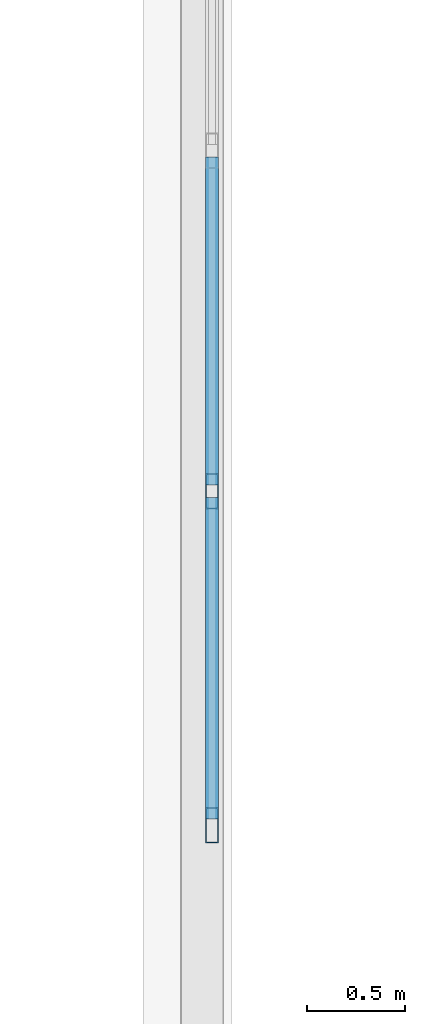
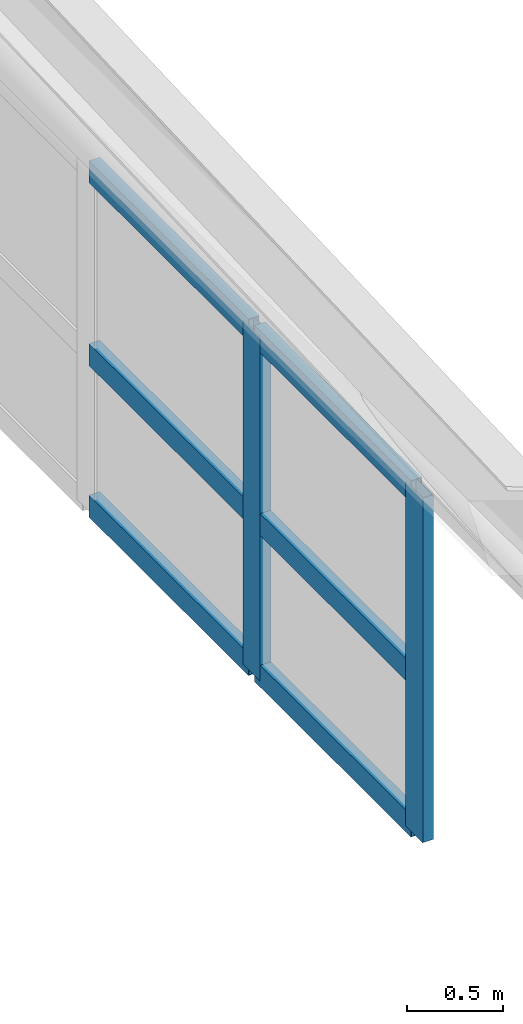
# One storey, part 11 of 128: 8 members, 1 element without a shape of its own.
"""IFC4 building model written with IfcOpenShell, lengths in metres."""

import ifcopenshell
import ifcopenshell.guid

model = None  # the IFC model being written
_history = None  # IfcOwnerHistory: only IFC2X3 demands one
_inside = {}  # id of a spatial element -> (the spatial element, [elements in it])
_under = {}  # id of a project, library or spatial element -> (it, [spatial elements below it])
_declared = {}  # id of a project -> (the project, [libraries it declares])
_typed = {}  # id of a type object -> (the type object, [elements of that type])
_made_of = {}  # id of a material, layer set ... -> (it, [elements and type objects made of it])


def new_model(schema):
    """Start an empty IFC model of exactly this schema.

    Asked for "IFC4X3", IfcOpenShell would pick the latest addendum, in which some entities
    have other attributes; the version numbers below select the first issue.
    IFC2X3 requires an IfcOwnerHistory on every rooted entity: one is made here for all.
    """
    global model, _history
    if schema == "IFC4X3":
        model = ifcopenshell.file(schema_version=(4, 3, 0, 0))
    else:
        model = ifcopenshell.file(schema=schema)
    _inside.clear()
    _under.clear()
    _declared.clear()
    _typed.clear()
    _made_of.clear()
    _history = None
    if model.schema == "IFC2X3":
        org = make("IfcOrganization", Name="unknown")
        user = make(
            "IfcPersonAndOrganization",
            ThePerson=make("IfcPerson", FamilyName="unknown"),
            TheOrganization=org,
        )
        app = make(
            "IfcApplication",
            ApplicationDeveloper=org,
            Version="unknown",
            ApplicationFullName="unknown",
            ApplicationIdentifier="unknown",
        )
        _history = make(
            "IfcOwnerHistory",
            OwningUser=user,
            OwningApplication=app,
            ChangeAction="ADDED",
            CreationDate=0,
        )
    return model


def make(cls, **values):
    """One entity of the class cls with the attributes given. An attribute that is None is left unset."""
    return model.create_entity(
        cls, **{name: value for name, value in values.items() if value is not None}
    )


def rooted(cls, **values):
    """An entity with a GlobalId (a new one), such as an element, a storey or a relation."""
    return make(cls, GlobalId=ifcopenshell.guid.new(), OwnerHistory=_history, **values)


def si_unit(unit_type, name, prefix=None):
    """IfcSIUnit, for example si_unit("LENGTHUNIT", "METRE", prefix="MILLI")."""
    return make("IfcSIUnit", UnitType=unit_type, Prefix=prefix, Name=name)


def assignment(units):
    """IfcUnitAssignment: the units of a project."""
    return None if units is None else make("IfcUnitAssignment", Units=units)


def point(xyz):
    """IfcCartesianPoint."""
    return None if xyz is None else make("IfcCartesianPoint", Coordinates=xyz)


def direction(xyz):
    """IfcDirection."""
    return None if xyz is None else make("IfcDirection", DirectionRatios=xyz)


def frame(location, z_axis=None, x_axis=None):
    """IfcAxis2Placement3D, a coordinate frame: its origin and axes. An axis left out is left unset."""
    return make(
        "IfcAxis2Placement3D",
        Location=point(location),
        Axis=direction(z_axis),
        RefDirection=direction(x_axis),
    )


def frame_2d(location, x_axis=None):
    """IfcAxis2Placement2D, a coordinate frame in the plane: its origin and x axis."""
    return make(
        "IfcAxis2Placement2D", Location=point(location), RefDirection=direction(x_axis)
    )


def origin():
    """The frame at (0, 0, 0) with its axes left unset."""
    return frame((0.0, 0.0, 0.0))


def origin_2d():
    """The frame at (0, 0) in the plane with its x axis left unset."""
    return frame_2d((0.0, 0.0))


def place(relative_to, where):
    """IfcLocalPlacement: puts the frame where relative to a parent placement (None: the world)."""
    return make(
        "IfcLocalPlacement", PlacementRelTo=relative_to, RelativePlacement=where
    )


def context(
    kind, dimensions, precision=None, world=None, true_north=None, identifier=None
):
    """IfcGeometricRepresentationContext, for example the 3D "Model" context."""
    return make(
        "IfcGeometricRepresentationContext",
        ContextIdentifier=identifier,
        ContextType=kind,
        CoordinateSpaceDimension=dimensions,
        Precision=precision,
        WorldCoordinateSystem=world,
        TrueNorth=true_north,
    )


def subcontext(parent, identifier, kind, view, scale=None):
    """IfcGeometricRepresentationSubContext, for example "Body" below "Model"."""
    return make(
        "IfcGeometricRepresentationSubContext",
        ContextIdentifier=identifier,
        ContextType=kind,
        ParentContext=parent,
        TargetScale=scale,
        TargetView=view,
    )


def project(units=None, contexts=None):
    """IfcProject with its units and contexts."""
    return rooted(
        "IfcProject",
        Name="project",
        RepresentationContexts=contexts,
        UnitsInContext=assignment(units),
    )


def spatial(cls, under=None, at=None, **own):
    """A site, building, storey or space (cls), placed at a placement, below another one or the project."""
    s = rooted(cls, ObjectPlacement=at, **own)
    if under is not None:
        _under.setdefault(under.id(), (under, []))[1].append(s)
    return s


def profile(cls, at=None, kind="AREA", **sizes):
    """A parametric profile (cls). Its sizes go by their IFC names, for example OverallWidth=200.0."""
    return make(cls, ProfileType=kind, Position=at, **sizes)


def hollow_rectangle(**sizes):
    """IfcRectangleHollowProfileDef."""
    return profile("IfcRectangleHollowProfileDef", **sizes)


def extrude(swept, where, along, depth):
    """IfcExtrudedAreaSolid: the profile swept, set in the frame where, extruded along a direction by depth."""
    return make(
        "IfcExtrudedAreaSolid",
        SweptArea=swept,
        Position=where,
        ExtrudedDirection=direction(along),
        Depth=depth,
    )


def shape(context_of_items, identifier, shape_type, items):
    """IfcShapeRepresentation: the items that make up one representation, for example the "Body"."""
    return make(
        "IfcShapeRepresentation",
        ContextOfItems=context_of_items,
        RepresentationIdentifier=identifier,
        RepresentationType=shape_type,
        Items=items,
    )


def material(Name=None, Category=None):
    """IfcMaterial."""
    return make("IfcMaterial", Name=Name, Category=Category)


def layer(
    of_material, thickness, ventilated=None, Name=None, Category=None, Priority=None
):
    """IfcMaterialLayer: one layer of a wall or slab, of a material (None: an air gap)."""
    return make(
        "IfcMaterialLayer",
        Material=of_material,
        LayerThickness=thickness,
        IsVentilated=ventilated,
        Name=Name,
        Category=Category,
        Priority=Priority,
    )


def layer_set(layers, Name=None):
    """IfcMaterialLayerSet."""
    return make("IfcMaterialLayerSet", MaterialLayers=layers, LayerSetName=Name)


def material_profile(
    of_material, cross_section, Name=None, Category=None, Priority=None
):
    """IfcMaterialProfile: a cross section and its material."""
    return make(
        "IfcMaterialProfile",
        Name=Name,
        Material=of_material,
        Profile=cross_section,
        Priority=Priority,
        Category=Category,
    )


def profile_set(profiles, Name=None, composite=None):
    """IfcMaterialProfileSet."""
    return make(
        "IfcMaterialProfileSet",
        Name=Name,
        MaterialProfiles=profiles,
        CompositeProfile=composite,
    )


def made_of(thing, what):
    """Note that an element or type object is made of a material, layer set ...; save() writes the relation."""
    if what is not None:
        _made_of.setdefault(what.id(), (what, []))[1].append(thing)
    return thing


def type_object(cls, material=None, **own):
    """A type object (cls), such as IfcWallType, which elements share."""
    return made_of(rooted(cls, **own), material)


def element(
    cls,
    number,
    at=None,
    inside=None,
    cuts=None,
    type_object=None,
    material=None,
    context=None,
    identifier="Body",
    shape_type=None,
    held_by="IfcProductDefinitionShape",
    body=None,
    shapes=None,
    **own,
):
    """One element of the class cls, such as IfcWall. Its Tag is "e" and its number.

    at: its placement. inside: the storey or other place that contains it. cuts: it is an
    opening in that element (IfcRelVoidsElement). A single representation is given by context,
    identifier, shape_type and body (its items); several are given by shapes. held_by: the class
    of the entity that holds the representations. save() writes the other relations.
    """
    e = rooted(cls, Tag="e%d" % number, ObjectPlacement=at, **own)
    if body is not None:
        shapes = [shape(context, identifier, shape_type, body)]
    if shapes is not None:
        e.Representation = make(held_by, Representations=shapes)
    if inside is not None:
        _inside.setdefault(inside.id(), (inside, []))[1].append(e)
    if cuts is not None:
        rooted(
            "IfcRelVoidsElement", RelatingBuildingElement=cuts, RelatedOpeningElement=e
        )
    if type_object is not None:
        _typed.setdefault(type_object.id(), (type_object, []))[1].append(e)
    return made_of(e, material)


def aggregate(whole, parts):
    """IfcRelAggregates: a whole, such as a stair, and the parts it consists of."""
    return rooted("IfcRelAggregates", RelatingObject=whole, RelatedObjects=parts)


def save(model, path):
    """Write the relations noted so far, then the file.

    IfcRelAggregates (storeys below a building ...), IfcRelContainedInSpatialStructure (elements
    in a storey), IfcRelDefinesByType, IfcRelAssociatesMaterial and IfcRelDeclares: one each for
    every whole, place, type object, material and project.
    """
    for whole, parts in _under.values():
        aggregate(whole, parts)
    for where, things in _inside.values():
        rooted(
            "IfcRelContainedInSpatialStructure",
            RelatedElements=things,
            RelatingStructure=where,
        )
    for kind, things in _typed.values():
        rooted("IfcRelDefinesByType", RelatedObjects=things, RelatingType=kind)
    for what, things in _made_of.values():
        rooted("IfcRelAssociatesMaterial", RelatedObjects=things, RelatingMaterial=what)
    for by, libraries in _declared.values():
        rooted("IfcRelDeclares", RelatingContext=by, RelatedDefinitions=libraries)
    model.write(path)


model = new_model("IFC4")

# Units and contexts
model_context = context("Model", 3, precision=1e-05, world=origin(), true_north=direction((0.0, 1.0)))
body_context = subcontext(model_context, "Body", "Model", "MODEL_VIEW")
ifc_project = project(units=[si_unit("LENGTHUNIT", "METRE"), si_unit("AREAUNIT", "SQUARE_METRE"), si_unit("VOLUMEUNIT", "CUBIC_METRE"), si_unit("PLANEANGLEUNIT", "RADIAN"), si_unit("MASSUNIT", "GRAM", prefix="KILO")], contexts=[model_context])

# Site, building, storey
site_placement = place(None, origin())
site = spatial("IfcSite", under=ifc_project, at=site_placement, CompositionType="ELEMENT")
building_placement = place(site_placement, origin())
building = spatial("IfcBuilding", under=site, at=building_placement, Name="Keldmere Railside Commons", CompositionType="ELEMENT")
storey_placement = place(building_placement, frame((0.0, 0.0, 4.159912109375)))
storey = spatial("IfcBuildingStorey", under=building, at=storey_placement, Name="L01", CompositionType="ELEMENT", Elevation=4.159912109375)

# Curtain wall, members
ifc_material = material(Name="Thermally Broken Aluminium", Category="aluminium")
ifc_layer = layer(ifc_material, 0.159912109375, Name="Community Hall Side Clerestory CW 5200x2200")
ifc_layer_set = layer_set([ifc_layer], Name="Thermally Broken Aluminium")
curtain_wall_type = type_object("IfcCurtainWallType", Name="Community Hall Side Clerestory CW 5200x2200", PredefinedType="NOTDEFINED", material=ifc_layer_set)
curtain_wall_placement = place(storey_placement, origin())
curtain_wall = element("IfcCurtainWall", 1, at=curtain_wall_placement, inside=storey, type_object=curtain_wall_type, Name="CW-06 CW-L01-205", PredefinedType="NOTDEFINED")
ifc_material_profile_1 = material_profile(ifc_material, hollow_rectangle(XDim=0.06494140625, YDim=0.179931640625, WallThickness=0.00390625, at=origin_2d()), Name="ALU-MULL-65x180")
ifc_profile_set_1 = profile_set([ifc_material_profile_1], Name="Thermally Broken Aluminium")
member_type_1 = type_object("IfcMemberType", Name="Civic Tall Curtain Wall Mullion 65x180", PredefinedType="MULLION", material=ifc_profile_set_1)
member_1_placement = place(storey_placement, frame((64.050048828125, 21.232421875, 0.090087890625), z_axis=(0.0, 0.0, 1.0), x_axis=(-1.0, 0.0, 0.0)))
member_1 = element("IfcMember", 2, at=member_1_placement, type_object=member_type_1, Name="CW-06 mullion 1", PredefinedType="MULLION", context=body_context, shape_type="SweptSolid", body=[
    extrude(hollow_rectangle(XDim=0.06494140625, YDim=0.179931640625, WallThickness=0.00390625, at=origin_2d()), origin(), (0.0, 0.0, 1.0), 2.199951171875),
])
member_2_placement = place(storey_placement, frame((64.050048828125, 22.933349609375, 0.090087890625), z_axis=(0.0, 0.0, 1.0), x_axis=(-1.0, 0.0, 0.0)))
member_2 = element("IfcMember", 3, at=member_2_placement, type_object=member_type_1, Name="CW-06 mullion 2", PredefinedType="MULLION", context=body_context, shape_type="SweptSolid", body=[
    extrude(hollow_rectangle(XDim=0.06494140625, YDim=0.179931640625, WallThickness=0.00390625, at=origin_2d()), origin(), (0.0, 0.0, 1.0), 2.199951171875),
])
ifc_material_profile_2 = material_profile(ifc_material, hollow_rectangle(XDim=0.06494140625, YDim=0.139892578125, WallThickness=0.00390625, at=origin_2d()), Name="ALU-TRAN-65x140")
ifc_profile_set_2 = profile_set([ifc_material_profile_2], Name="Thermally Broken Aluminium")
member_type_2 = type_object("IfcMemberType", Name="Civic Tall Curtain Wall Transom 65x140", PredefinedType="USERDEFINED", material=ifc_profile_set_2)
member_3_placement = place(storey_placement, frame((64.050048828125, 21.264892578125, 0.12255859375), z_axis=(0.0, 1.0, 0.0), x_axis=(-1.0, 0.0, 0.0)))
member_3 = element("IfcMember", 4, at=member_3_placement, type_object=member_type_2, Name="CW-06 transom 1.1", ObjectType="TRANSOM", PredefinedType="USERDEFINED", context=body_context, shape_type="SweptSolid", body=[
    extrude(hollow_rectangle(XDim=0.06494140625, YDim=0.139892578125, WallThickness=0.00390625, at=origin_2d()), origin(), (0.0, 0.0, 1.0), 1.635986328125),
])
member_4_placement = place(storey_placement, frame((64.050048828125, 21.264892578125, 1.090087890625), z_axis=(0.0, 1.0, 0.0), x_axis=(-1.0, 0.0, 0.0)))
member_4 = element("IfcMember", 5, at=member_4_placement, type_object=member_type_2, Name="CW-06 transom 1.2", ObjectType="TRANSOM", PredefinedType="USERDEFINED", context=body_context, shape_type="SweptSolid", body=[
    extrude(hollow_rectangle(XDim=0.06494140625, YDim=0.139892578125, WallThickness=0.00390625, at=origin_2d()), origin(), (0.0, 0.0, 1.0), 1.635986328125),
])
member_5_placement = place(storey_placement, frame((64.050048828125, 21.264892578125, 2.257568359375), z_axis=(0.0, 1.0, 0.0), x_axis=(-1.0, 0.0, 0.0)))
member_5 = element("IfcMember", 6, at=member_5_placement, type_object=member_type_2, Name="CW-06 transom 1.3", ObjectType="TRANSOM", PredefinedType="USERDEFINED", context=body_context, shape_type="SweptSolid", body=[
    extrude(hollow_rectangle(XDim=0.06494140625, YDim=0.139892578125, WallThickness=0.00390625, at=origin_2d()), origin(), (0.0, 0.0, 1.0), 1.635986328125),
])
member_6_placement = place(storey_placement, frame((64.050048828125, 22.9658203125, 0.12255859375), z_axis=(0.0, 1.0, 0.0), x_axis=(-1.0, 0.0, 0.0)))
member_6 = element("IfcMember", 7, at=member_6_placement, type_object=member_type_2, Name="CW-06 transom 2.1", ObjectType="TRANSOM", PredefinedType="USERDEFINED", context=body_context, shape_type="SweptSolid", body=[
    extrude(hollow_rectangle(XDim=0.06494140625, YDim=0.139892578125, WallThickness=0.00390625, at=origin_2d()), origin(), (0.0, 0.0, 1.0), 1.66845703125),
])
member_7_placement = place(storey_placement, frame((64.050048828125, 22.9658203125, 1.090087890625), z_axis=(0.0, 1.0, 0.0), x_axis=(-1.0, 0.0, 0.0)))
member_7 = element("IfcMember", 8, at=member_7_placement, type_object=member_type_2, Name="CW-06 transom 2.2", ObjectType="TRANSOM", PredefinedType="USERDEFINED", context=body_context, shape_type="SweptSolid", body=[
    extrude(hollow_rectangle(XDim=0.06494140625, YDim=0.139892578125, WallThickness=0.00390625, at=origin_2d()), origin(), (0.0, 0.0, 1.0), 1.66845703125),
])
member_8_placement = place(storey_placement, frame((64.050048828125, 22.9658203125, 2.257568359375), z_axis=(0.0, 1.0, 0.0), x_axis=(-1.0, 0.0, 0.0)))
member_8 = element("IfcMember", 9, at=member_8_placement, type_object=member_type_2, Name="CW-06 transom 2.3", ObjectType="TRANSOM", PredefinedType="USERDEFINED", context=body_context, shape_type="SweptSolid", body=[
    extrude(hollow_rectangle(XDim=0.06494140625, YDim=0.139892578125, WallThickness=0.00390625, at=origin_2d()), origin(), (0.0, 0.0, 1.0), 1.66845703125),
])
aggregate(curtain_wall, [member_1, member_2, member_3, member_4, member_5, member_6, member_7, member_8])

save(model, "model.ifc")
